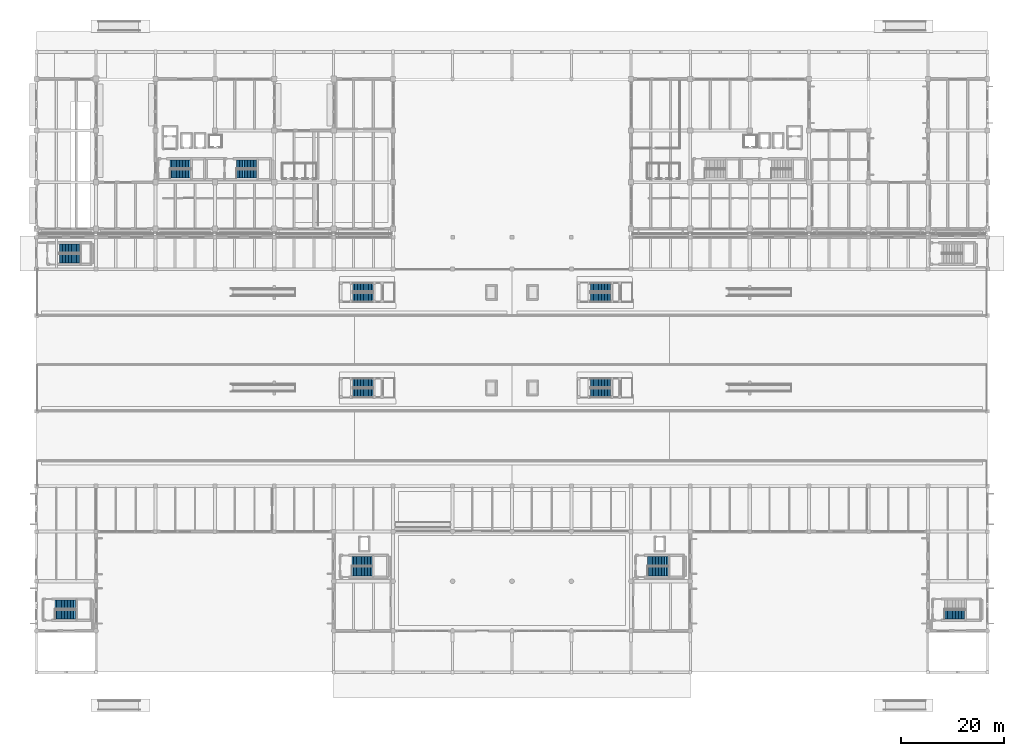
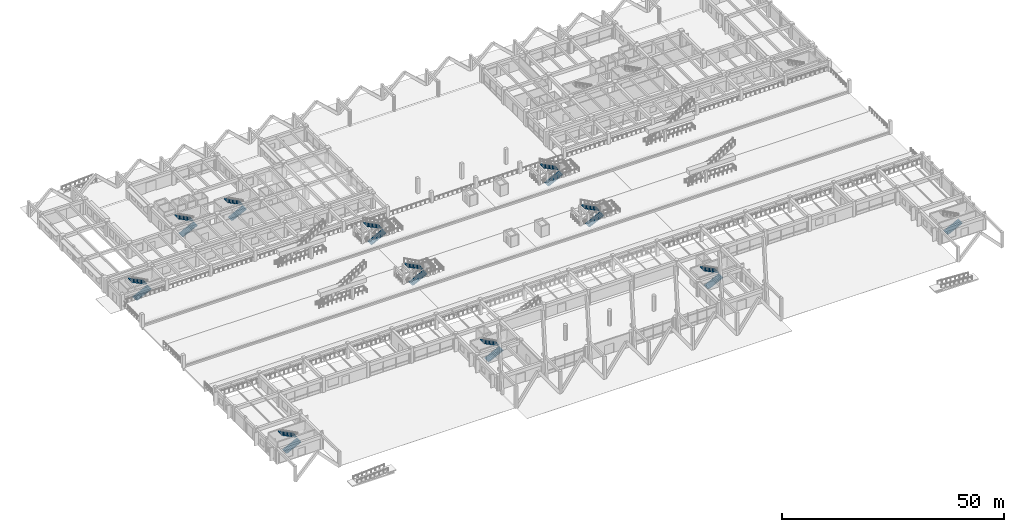
# One storey, part 93 of 109: 21 stair flights, 11 elements without a shape of their own.
"""IFC4 building model written with IfcOpenShell, lengths in metres."""

from ifc_helpers import new_model, si_unit, direction, frame, origin, place, context, subcontext, project, spatial, polyline, outline, extrude, material, type_object, element, aggregate, save


model = new_model("IFC4")

# Units and contexts
model_context = context("Model", 3, precision=1e-05, world=origin(), true_north=direction((0.0, 1.0)))
body_context = subcontext(model_context, "Body", "Model", "MODEL_VIEW")
ifc_project = project(units=[si_unit("LENGTHUNIT", "METRE"), si_unit("AREAUNIT", "SQUARE_METRE"), si_unit("VOLUMEUNIT", "CUBIC_METRE"), si_unit("PLANEANGLEUNIT", "RADIAN"), si_unit("MASSUNIT", "GRAM", prefix="KILO")], contexts=[model_context])

# Site, building, storey
site_placement = place(None, origin())
site = spatial("IfcSite", under=ifc_project, at=site_placement, CompositionType="ELEMENT")
building_placement = place(site_placement, origin())
building = spatial("IfcBuilding", under=site, at=building_placement, Name="Ologun Quay Terminus", CompositionType="ELEMENT")
storey_placement = place(building_placement, origin())
storey = spatial("IfcBuildingStorey", under=building, at=storey_placement, Name="L00", CompositionType="ELEMENT", Elevation=0.0)

# Stair, stair flights
ifc_material_1 = material(Name="Concrete C40/50", Category="concrete")
stair_type_1 = type_object("IfcStairType", Name="Courtyard Wing Core Escape Stair 1700", PredefinedType="HALF_TURN_STAIR", material=ifc_material_1)
stair_1_placement = place(storey_placement, origin())
stair_1 = element("IfcStair", 1, at=stair_1_placement, inside=storey, type_object=stair_type_1, Name="ST-W1 Stair L00", PredefinedType="HALF_TURN_STAIR")
ifc_material_2 = material(Name="Concrete C40/50", Category="concrete")
stair_flight_type_1 = type_object("IfcStairFlightType", Name="Courtyard Wing Precast Concrete Stair Flight 1700", PredefinedType="STRAIGHT", material=ifc_material_2)
stair_flight_1_placement = place(storey_placement, frame((25.85009765625, 96.449951171875, 0.0), z_axis=(0.0, 0.0, 1.0), x_axis=(1.0, 0.0, 0.0)))
stair_flight_1 = element("IfcStairFlight", 2, at=stair_flight_1_placement, type_object=stair_flight_type_1, Name="ST-W1 Lower Flight L00", NumberOfRisers=14, NumberOfTreads=13, PredefinedType="STRAIGHT", RiserHeight=0.15, TreadLength=0.3, context=body_context, shape_type="SweptSolid", body=[
    extrude(outline(polyline([(0.0, 0.0), (0.0, 0.14990234375), (0.300048828125, 0.14990234375), (0.300048828125, 0.300048828125), (0.60009765625, 0.300048828125), (0.60009765625, 0.449951171875), (0.89990234375, 0.449951171875), (0.89990234375, 0.60009765625), (1.199951171875, 0.60009765625), (1.199951171875, 0.75), (1.5, 0.75), (1.5, 0.89990234375), (1.800048828125, 0.89990234375), (1.800048828125, 1.050048828125), (2.10009765625, 1.050048828125), (2.10009765625, 1.199951171875), (2.39990234375, 1.199951171875), (2.39990234375, 1.35009765625), (2.699951171875, 1.35009765625), (2.699951171875, 1.5), (3.0, 1.5), (3.0, 1.64990234375), (3.300048828125, 1.64990234375), (3.300048828125, 1.800048828125), (3.60009765625, 1.800048828125), (3.60009765625, 1.949951171875), (3.89990234375, 1.949951171875), (3.89990234375, 2.10009765625), (3.89990234375, 1.748779296875), (0.40234375, 0.0), (0.0, 0.0)])), frame((0.0, 0.85009765625, 0.0), z_axis=(0.0, -1.0, 0.0), x_axis=(1.0, 0.0, 0.0)), (0.0, 0.0, 1.0), 1.699951171875),
])
stair_flight_2_placement = place(storey_placement, frame((29.75, 98.25, 2.10009765625), z_axis=(0.0, 0.0, 1.0), x_axis=(-1.0, 0.0, 0.0)))
stair_flight_2 = element("IfcStairFlight", 3, at=stair_flight_2_placement, type_object=stair_flight_type_1, Name="ST-W1 Upper Flight L00", NumberOfRisers=14, NumberOfTreads=13, PredefinedType="STRAIGHT", RiserHeight=0.15, TreadLength=0.3, context=body_context, shape_type="SweptSolid", body=[
    extrude(outline(polyline([(0.0, 0.0), (0.0, 0.14990234375), (0.300048828125, 0.14990234375), (0.300048828125, 0.300048828125), (0.60009765625, 0.300048828125), (0.60009765625, 0.449951171875), (0.89990234375, 0.449951171875), (0.89990234375, 0.60009765625), (1.199951171875, 0.60009765625), (1.199951171875, 0.75), (1.5, 0.75), (1.5, 0.89990234375), (1.800048828125, 0.89990234375), (1.800048828125, 1.050048828125), (2.10009765625, 1.050048828125), (2.10009765625, 1.199951171875), (2.39990234375, 1.199951171875), (2.39990234375, 1.35009765625), (2.699951171875, 1.35009765625), (2.699951171875, 1.5), (3.0, 1.5), (3.0, 1.64990234375), (3.300048828125, 1.64990234375), (3.300048828125, 1.800048828125), (3.60009765625, 1.800048828125), (3.60009765625, 1.949951171875), (3.89990234375, 1.949951171875), (3.89990234375, 2.10009765625), (3.89990234375, 1.748779296875), (0.40234375, 0.0), (0.0, 0.0)])), frame((0.0, 0.85009765625, 0.0), z_axis=(0.0, -1.0, 0.0), x_axis=(1.0, 0.0, 0.0)), (0.0, 0.0, 1.0), 1.699951171875),
])
aggregate(stair_1, [stair_flight_1, stair_flight_2])

stair_2_placement = place(storey_placement, origin())
stair_2 = element("IfcStair", 4, at=stair_2_placement, inside=storey, type_object=stair_type_1, Name="ST-W2 Stair L00", PredefinedType="HALF_TURN_STAIR")
stair_flight_3_placement = place(storey_placement, frame((38.699951171875, 96.449951171875, 0.0), z_axis=(0.0, 0.0, 1.0), x_axis=(1.0, 0.0, 0.0)))
stair_flight_3 = element("IfcStairFlight", 5, at=stair_flight_3_placement, type_object=stair_flight_type_1, Name="ST-W2 Lower Flight L00", NumberOfRisers=14, NumberOfTreads=13, PredefinedType="STRAIGHT", RiserHeight=0.15, TreadLength=0.3, context=body_context, shape_type="SweptSolid", body=[
    extrude(outline(polyline([(0.0, 0.0), (0.0, 0.14990234375), (0.300048828125, 0.14990234375), (0.300048828125, 0.300048828125), (0.60009765625, 0.300048828125), (0.60009765625, 0.449951171875), (0.89990234375, 0.449951171875), (0.89990234375, 0.60009765625), (1.199951171875, 0.60009765625), (1.199951171875, 0.75), (1.5, 0.75), (1.5, 0.89990234375), (1.800048828125, 0.89990234375), (1.800048828125, 1.050048828125), (2.10009765625, 1.050048828125), (2.10009765625, 1.199951171875), (2.39990234375, 1.199951171875), (2.39990234375, 1.35009765625), (2.699951171875, 1.35009765625), (2.699951171875, 1.5), (3.0, 1.5), (3.0, 1.64990234375), (3.300048828125, 1.64990234375), (3.300048828125, 1.800048828125), (3.60009765625, 1.800048828125), (3.60009765625, 1.949951171875), (3.89990234375, 1.949951171875), (3.89990234375, 2.10009765625), (3.89990234375, 1.748779296875), (0.40234375, 0.0), (0.0, 0.0)])), frame((0.0, 0.85009765625, 0.0), z_axis=(0.0, -1.0, 0.0), x_axis=(1.0, 0.0, 0.0)), (0.0, 0.0, 1.0), 1.699951171875),
])
stair_flight_4_placement = place(storey_placement, frame((42.60009765625, 98.25, 2.10009765625), z_axis=(0.0, 0.0, 1.0), x_axis=(-1.0, 0.0, 0.0)))
stair_flight_4 = element("IfcStairFlight", 6, at=stair_flight_4_placement, type_object=stair_flight_type_1, Name="ST-W2 Upper Flight L00", NumberOfRisers=14, NumberOfTreads=13, PredefinedType="STRAIGHT", RiserHeight=0.15, TreadLength=0.3, context=body_context, shape_type="SweptSolid", body=[
    extrude(outline(polyline([(0.0, 0.0), (0.0, 0.14990234375), (0.300048828125, 0.14990234375), (0.300048828125, 0.300048828125), (0.60009765625, 0.300048828125), (0.60009765625, 0.449951171875), (0.89990234375, 0.449951171875), (0.89990234375, 0.60009765625), (1.199951171875, 0.60009765625), (1.199951171875, 0.75), (1.5, 0.75), (1.5, 0.89990234375), (1.800048828125, 0.89990234375), (1.800048828125, 1.050048828125), (2.10009765625, 1.050048828125), (2.10009765625, 1.199951171875), (2.39990234375, 1.199951171875), (2.39990234375, 1.35009765625), (2.699951171875, 1.35009765625), (2.699951171875, 1.5), (3.0, 1.5), (3.0, 1.64990234375), (3.300048828125, 1.64990234375), (3.300048828125, 1.800048828125), (3.60009765625, 1.800048828125), (3.60009765625, 1.949951171875), (3.89990234375, 1.949951171875), (3.89990234375, 2.10009765625), (3.89990234375, 1.748779296875), (0.40234375, 0.0), (0.0, 0.0)])), frame((0.0, 0.85009765625, 0.0), z_axis=(0.0, -1.0, 0.0), x_axis=(1.0, 0.0, 0.0)), (0.0, 0.0, 1.0), 1.699951171875),
])
aggregate(stair_2, [stair_flight_3, stair_flight_4])

ifc_material_3 = material(Name="Concrete C40/50", Category="concrete")
stair_type_2 = type_object("IfcStairType", Name="Platform Concourse Transfer Stair 1700", PredefinedType="HALF_TURN_STAIR", material=ifc_material_3)
stair_3_placement = place(storey_placement, origin())
stair_3 = element("IfcStair", 7, at=stair_3_placement, inside=storey, type_object=stair_type_2, Name="ST-P1 Stair L00", PredefinedType="HALF_TURN_STAIR")
ifc_material_4 = material(Name="Concrete C40/50", Category="concrete")
stair_flight_type_2 = type_object("IfcStairFlightType", Name="Platform Transfer Stair Flight 1700", PredefinedType="STRAIGHT", material=ifc_material_4)
stair_flight_5_placement = place(storey_placement, frame((61.199951171875, 54.050048828125, 0.0), z_axis=(0.0, 0.0, 1.0), x_axis=(1.0, 0.0, 0.0)))
stair_flight_5 = element("IfcStairFlight", 8, at=stair_flight_5_placement, type_object=stair_flight_type_2, Name="ST-P1 Lower Flight L00", NumberOfRisers=14, NumberOfTreads=13, PredefinedType="STRAIGHT", RiserHeight=0.15, TreadLength=0.3, context=body_context, shape_type="SweptSolid", body=[
    extrude(outline(polyline([(0.0, 0.0), (0.0, 0.14990234375), (0.300048828125, 0.14990234375), (0.300048828125, 0.300048828125), (0.60009765625, 0.300048828125), (0.60009765625, 0.449951171875), (0.89990234375, 0.449951171875), (0.89990234375, 0.60009765625), (1.199951171875, 0.60009765625), (1.199951171875, 0.75), (1.5, 0.75), (1.5, 0.89990234375), (1.800048828125, 0.89990234375), (1.800048828125, 1.050048828125), (2.10009765625, 1.050048828125), (2.10009765625, 1.199951171875), (2.39990234375, 1.199951171875), (2.39990234375, 1.35009765625), (2.699951171875, 1.35009765625), (2.699951171875, 1.5), (3.0, 1.5), (3.0, 1.64990234375), (3.300048828125, 1.64990234375), (3.300048828125, 1.800048828125), (3.60009765625, 1.800048828125), (3.60009765625, 1.949951171875), (3.89990234375, 1.949951171875), (3.89990234375, 2.10009765625), (3.89990234375, 1.737548828125), (0.4248046875, 0.0), (0.0, 0.0)])), frame((0.0, 0.85009765625, 0.0), z_axis=(0.0, -1.0, 0.0), x_axis=(1.0, 0.0, 0.0)), (0.0, 0.0, 1.0), 1.699951171875),
])
stair_flight_6_placement = place(storey_placement, frame((65.10009765625, 55.949951171875, 2.10009765625), z_axis=(0.0, 0.0, 1.0), x_axis=(-1.0, 0.0, 0.0)))
stair_flight_6 = element("IfcStairFlight", 9, at=stair_flight_6_placement, type_object=stair_flight_type_2, Name="ST-P1 Upper Flight L00", NumberOfRisers=14, NumberOfTreads=13, PredefinedType="STRAIGHT", RiserHeight=0.15, TreadLength=0.3, context=body_context, shape_type="SweptSolid", body=[
    extrude(outline(polyline([(0.0, 0.0), (0.0, 0.14990234375), (0.300048828125, 0.14990234375), (0.300048828125, 0.300048828125), (0.60009765625, 0.300048828125), (0.60009765625, 0.449951171875), (0.89990234375, 0.449951171875), (0.89990234375, 0.60009765625), (1.199951171875, 0.60009765625), (1.199951171875, 0.75), (1.5, 0.75), (1.5, 0.89990234375), (1.800048828125, 0.89990234375), (1.800048828125, 1.050048828125), (2.10009765625, 1.050048828125), (2.10009765625, 1.199951171875), (2.39990234375, 1.199951171875), (2.39990234375, 1.35009765625), (2.699951171875, 1.35009765625), (2.699951171875, 1.5), (3.0, 1.5), (3.0, 1.64990234375), (3.300048828125, 1.64990234375), (3.300048828125, 1.800048828125), (3.60009765625, 1.800048828125), (3.60009765625, 1.949951171875), (3.89990234375, 1.949951171875), (3.89990234375, 2.10009765625), (3.89990234375, 1.737548828125), (0.4248046875, 0.0), (0.0, 0.0)])), frame((0.0, 0.85009765625, 0.0), z_axis=(0.0, -1.0, 0.0), x_axis=(1.0, 0.0, 0.0)), (0.0, 0.0, 1.0), 1.699951171875),
])
aggregate(stair_3, [stair_flight_5, stair_flight_6])

stair_4_placement = place(storey_placement, origin())
stair_4 = element("IfcStair", 10, at=stair_4_placement, inside=storey, type_object=stair_type_2, Name="ST-P2 Stair L00", PredefinedType="HALF_TURN_STAIR")
stair_flight_7_placement = place(storey_placement, frame((107.199951171875, 54.050048828125, 0.0), z_axis=(0.0, 0.0, 1.0), x_axis=(1.0, 0.0, 0.0)))
stair_flight_7 = element("IfcStairFlight", 11, at=stair_flight_7_placement, type_object=stair_flight_type_2, Name="ST-P2 Lower Flight L00", NumberOfRisers=14, NumberOfTreads=13, PredefinedType="STRAIGHT", RiserHeight=0.15, TreadLength=0.3, context=body_context, shape_type="SweptSolid", body=[
    extrude(outline(polyline([(0.0, 0.0), (0.0, 0.14990234375), (0.300048828125, 0.14990234375), (0.300048828125, 0.300048828125), (0.60009765625, 0.300048828125), (0.60009765625, 0.449951171875), (0.89990234375, 0.449951171875), (0.89990234375, 0.60009765625), (1.199951171875, 0.60009765625), (1.199951171875, 0.75), (1.5, 0.75), (1.5, 0.89990234375), (1.800048828125, 0.89990234375), (1.800048828125, 1.050048828125), (2.10009765625, 1.050048828125), (2.10009765625, 1.199951171875), (2.39990234375, 1.199951171875), (2.39990234375, 1.35009765625), (2.699951171875, 1.35009765625), (2.699951171875, 1.5), (3.0, 1.5), (3.0, 1.64990234375), (3.300048828125, 1.64990234375), (3.300048828125, 1.800048828125), (3.60009765625, 1.800048828125), (3.60009765625, 1.949951171875), (3.89990234375, 1.949951171875), (3.89990234375, 2.10009765625), (3.89990234375, 1.737548828125), (0.4248046875, 0.0), (0.0, 0.0)])), frame((0.0, 0.85009765625, 0.0), z_axis=(0.0, -1.0, 0.0), x_axis=(1.0, 0.0, 0.0)), (0.0, 0.0, 1.0), 1.699951171875),
])
stair_flight_8_placement = place(storey_placement, frame((111.10009765625, 55.949951171875, 2.10009765625), z_axis=(0.0, 0.0, 1.0), x_axis=(-1.0, 0.0, 0.0)))
stair_flight_8 = element("IfcStairFlight", 12, at=stair_flight_8_placement, type_object=stair_flight_type_2, Name="ST-P2 Upper Flight L00", NumberOfRisers=14, NumberOfTreads=13, PredefinedType="STRAIGHT", RiserHeight=0.15, TreadLength=0.3, context=body_context, shape_type="SweptSolid", body=[
    extrude(outline(polyline([(0.0, 0.0), (0.0, 0.14990234375), (0.300048828125, 0.14990234375), (0.300048828125, 0.300048828125), (0.60009765625, 0.300048828125), (0.60009765625, 0.449951171875), (0.89990234375, 0.449951171875), (0.89990234375, 0.60009765625), (1.199951171875, 0.60009765625), (1.199951171875, 0.75), (1.5, 0.75), (1.5, 0.89990234375), (1.800048828125, 0.89990234375), (1.800048828125, 1.050048828125), (2.10009765625, 1.050048828125), (2.10009765625, 1.199951171875), (2.39990234375, 1.199951171875), (2.39990234375, 1.35009765625), (2.699951171875, 1.35009765625), (2.699951171875, 1.5), (3.0, 1.5), (3.0, 1.64990234375), (3.300048828125, 1.64990234375), (3.300048828125, 1.800048828125), (3.60009765625, 1.800048828125), (3.60009765625, 1.949951171875), (3.89990234375, 1.949951171875), (3.89990234375, 2.10009765625), (3.89990234375, 1.737548828125), (0.4248046875, 0.0), (0.0, 0.0)])), frame((0.0, 0.85009765625, 0.0), z_axis=(0.0, -1.0, 0.0), x_axis=(1.0, 0.0, 0.0)), (0.0, 0.0, 1.0), 1.699951171875),
])
aggregate(stair_4, [stair_flight_7, stair_flight_8])

stair_5_placement = place(storey_placement, origin())
stair_5 = element("IfcStair", 13, at=stair_5_placement, inside=storey, type_object=stair_type_2, Name="ST-P3 Stair L00", PredefinedType="HALF_TURN_STAIR")
stair_flight_9_placement = place(storey_placement, frame((61.199951171875, 72.550048828125, 0.0), z_axis=(0.0, 0.0, 1.0), x_axis=(1.0, 0.0, 0.0)))
stair_flight_9 = element("IfcStairFlight", 14, at=stair_flight_9_placement, type_object=stair_flight_type_2, Name="ST-P3 Lower Flight L00", NumberOfRisers=14, NumberOfTreads=13, PredefinedType="STRAIGHT", RiserHeight=0.15, TreadLength=0.3, context=body_context, shape_type="SweptSolid", body=[
    extrude(outline(polyline([(0.0, 0.0), (0.0, 0.14990234375), (0.300048828125, 0.14990234375), (0.300048828125, 0.300048828125), (0.60009765625, 0.300048828125), (0.60009765625, 0.449951171875), (0.89990234375, 0.449951171875), (0.89990234375, 0.60009765625), (1.199951171875, 0.60009765625), (1.199951171875, 0.75), (1.5, 0.75), (1.5, 0.89990234375), (1.800048828125, 0.89990234375), (1.800048828125, 1.050048828125), (2.10009765625, 1.050048828125), (2.10009765625, 1.199951171875), (2.39990234375, 1.199951171875), (2.39990234375, 1.35009765625), (2.699951171875, 1.35009765625), (2.699951171875, 1.5), (3.0, 1.5), (3.0, 1.64990234375), (3.300048828125, 1.64990234375), (3.300048828125, 1.800048828125), (3.60009765625, 1.800048828125), (3.60009765625, 1.949951171875), (3.89990234375, 1.949951171875), (3.89990234375, 2.10009765625), (3.89990234375, 1.737548828125), (0.4248046875, 0.0), (0.0, 0.0)])), frame((0.0, 0.85009765625, 0.0), z_axis=(0.0, -1.0, 0.0), x_axis=(1.0, 0.0, 0.0)), (0.0, 0.0, 1.0), 1.699951171875),
])
stair_flight_10_placement = place(storey_placement, frame((65.10009765625, 74.449951171875, 2.10009765625), z_axis=(0.0, 0.0, 1.0), x_axis=(-1.0, 0.0, 0.0)))
stair_flight_10 = element("IfcStairFlight", 15, at=stair_flight_10_placement, type_object=stair_flight_type_2, Name="ST-P3 Upper Flight L00", NumberOfRisers=14, NumberOfTreads=13, PredefinedType="STRAIGHT", RiserHeight=0.15, TreadLength=0.3, context=body_context, shape_type="SweptSolid", body=[
    extrude(outline(polyline([(0.0, 0.0), (0.0, 0.14990234375), (0.300048828125, 0.14990234375), (0.300048828125, 0.300048828125), (0.60009765625, 0.300048828125), (0.60009765625, 0.449951171875), (0.89990234375, 0.449951171875), (0.89990234375, 0.60009765625), (1.199951171875, 0.60009765625), (1.199951171875, 0.75), (1.5, 0.75), (1.5, 0.89990234375), (1.800048828125, 0.89990234375), (1.800048828125, 1.050048828125), (2.10009765625, 1.050048828125), (2.10009765625, 1.199951171875), (2.39990234375, 1.199951171875), (2.39990234375, 1.35009765625), (2.699951171875, 1.35009765625), (2.699951171875, 1.5), (3.0, 1.5), (3.0, 1.64990234375), (3.300048828125, 1.64990234375), (3.300048828125, 1.800048828125), (3.60009765625, 1.800048828125), (3.60009765625, 1.949951171875), (3.89990234375, 1.949951171875), (3.89990234375, 2.10009765625), (3.89990234375, 1.737548828125), (0.4248046875, 0.0), (0.0, 0.0)])), frame((0.0, 0.85009765625, 0.0), z_axis=(0.0, -1.0, 0.0), x_axis=(1.0, 0.0, 0.0)), (0.0, 0.0, 1.0), 1.699951171875),
])
aggregate(stair_5, [stair_flight_9, stair_flight_10])

stair_6_placement = place(storey_placement, origin())
stair_6 = element("IfcStair", 16, at=stair_6_placement, inside=storey, type_object=stair_type_2, Name="ST-P4 Stair L00", PredefinedType="HALF_TURN_STAIR")
stair_flight_11_placement = place(storey_placement, frame((107.199951171875, 72.550048828125, 0.0), z_axis=(0.0, 0.0, 1.0), x_axis=(1.0, 0.0, 0.0)))
stair_flight_11 = element("IfcStairFlight", 17, at=stair_flight_11_placement, type_object=stair_flight_type_2, Name="ST-P4 Lower Flight L00", NumberOfRisers=14, NumberOfTreads=13, PredefinedType="STRAIGHT", RiserHeight=0.15, TreadLength=0.3, context=body_context, shape_type="SweptSolid", body=[
    extrude(outline(polyline([(0.0, 0.0), (0.0, 0.14990234375), (0.300048828125, 0.14990234375), (0.300048828125, 0.300048828125), (0.60009765625, 0.300048828125), (0.60009765625, 0.449951171875), (0.89990234375, 0.449951171875), (0.89990234375, 0.60009765625), (1.199951171875, 0.60009765625), (1.199951171875, 0.75), (1.5, 0.75), (1.5, 0.89990234375), (1.800048828125, 0.89990234375), (1.800048828125, 1.050048828125), (2.10009765625, 1.050048828125), (2.10009765625, 1.199951171875), (2.39990234375, 1.199951171875), (2.39990234375, 1.35009765625), (2.699951171875, 1.35009765625), (2.699951171875, 1.5), (3.0, 1.5), (3.0, 1.64990234375), (3.300048828125, 1.64990234375), (3.300048828125, 1.800048828125), (3.60009765625, 1.800048828125), (3.60009765625, 1.949951171875), (3.89990234375, 1.949951171875), (3.89990234375, 2.10009765625), (3.89990234375, 1.737548828125), (0.4248046875, 0.0), (0.0, 0.0)])), frame((0.0, 0.85009765625, 0.0), z_axis=(0.0, -1.0, 0.0), x_axis=(1.0, 0.0, 0.0)), (0.0, 0.0, 1.0), 1.699951171875),
])
stair_flight_12_placement = place(storey_placement, frame((111.10009765625, 74.449951171875, 2.10009765625), z_axis=(0.0, 0.0, 1.0), x_axis=(-1.0, 0.0, 0.0)))
stair_flight_12 = element("IfcStairFlight", 18, at=stair_flight_12_placement, type_object=stair_flight_type_2, Name="ST-P4 Upper Flight L00", NumberOfRisers=14, NumberOfTreads=13, PredefinedType="STRAIGHT", RiserHeight=0.15, TreadLength=0.3, context=body_context, shape_type="SweptSolid", body=[
    extrude(outline(polyline([(0.0, 0.0), (0.0, 0.14990234375), (0.300048828125, 0.14990234375), (0.300048828125, 0.300048828125), (0.60009765625, 0.300048828125), (0.60009765625, 0.449951171875), (0.89990234375, 0.449951171875), (0.89990234375, 0.60009765625), (1.199951171875, 0.60009765625), (1.199951171875, 0.75), (1.5, 0.75), (1.5, 0.89990234375), (1.800048828125, 0.89990234375), (1.800048828125, 1.050048828125), (2.10009765625, 1.050048828125), (2.10009765625, 1.199951171875), (2.39990234375, 1.199951171875), (2.39990234375, 1.35009765625), (2.699951171875, 1.35009765625), (2.699951171875, 1.5), (3.0, 1.5), (3.0, 1.64990234375), (3.300048828125, 1.64990234375), (3.300048828125, 1.800048828125), (3.60009765625, 1.800048828125), (3.60009765625, 1.949951171875), (3.89990234375, 1.949951171875), (3.89990234375, 2.10009765625), (3.89990234375, 1.737548828125), (0.4248046875, 0.0), (0.0, 0.0)])), frame((0.0, 0.85009765625, 0.0), z_axis=(0.0, -1.0, 0.0), x_axis=(1.0, 0.0, 0.0)), (0.0, 0.0, 1.0), 1.699951171875),
])
aggregate(stair_6, [stair_flight_11, stair_flight_12])

ifc_material_5 = material(Name="Concrete C40/50", Category="concrete")
stair_type_3 = type_object("IfcStairType", Name="Station Concourse Escape Stair 1800", PredefinedType="HALF_TURN_STAIR", material=ifc_material_5)
stair_7_placement = place(storey_placement, origin())
stair_7 = element("IfcStair", 19, at=stair_7_placement, inside=storey, type_object=stair_type_3, Name="ST-S1 Stair L00", PredefinedType="HALF_TURN_STAIR")
ifc_material_6 = material(Name="Concrete C40/50", Category="concrete")
stair_flight_type_3 = type_object("IfcStairFlightType", Name="Station Precast Concrete Stair Flight 1800", PredefinedType="STRAIGHT", material=ifc_material_6)
stair_flight_13_placement = place(storey_placement, frame((3.60009765625, 11.14990234375, 0.0), z_axis=(0.0, 0.0, 1.0), x_axis=(1.0, 0.0, 0.0)))
stair_flight_13 = element("IfcStairFlight", 20, at=stair_flight_13_placement, type_object=stair_flight_type_3, Name="ST-S1 Lower Flight L00", NumberOfRisers=14, NumberOfTreads=13, PredefinedType="STRAIGHT", RiserHeight=0.15, TreadLength=0.3, context=body_context, shape_type="SweptSolid", body=[
    extrude(outline(polyline([(0.0, 0.0), (0.0, 0.14990234375), (0.300048828125, 0.14990234375), (0.300048828125, 0.300048828125), (0.60009765625, 0.300048828125), (0.60009765625, 0.449951171875), (0.89990234375, 0.449951171875), (0.89990234375, 0.60009765625), (1.199951171875, 0.60009765625), (1.199951171875, 0.75), (1.5, 0.75), (1.5, 0.89990234375), (1.800048828125, 0.89990234375), (1.800048828125, 1.050048828125), (2.10009765625, 1.050048828125), (2.10009765625, 1.199951171875), (2.39990234375, 1.199951171875), (2.39990234375, 1.35009765625), (2.699951171875, 1.35009765625), (2.699951171875, 1.5), (3.0, 1.5), (3.0, 1.64990234375), (3.300048828125, 1.64990234375), (3.300048828125, 1.800048828125), (3.60009765625, 1.800048828125), (3.60009765625, 1.949951171875), (3.89990234375, 1.949951171875), (3.89990234375, 2.10009765625), (3.89990234375, 1.7265625), (0.447021484375, 0.0), (0.0, 0.0)])), frame((0.0, 0.89990234375, 0.0), z_axis=(0.0, -1.0, 0.0), x_axis=(1.0, 0.0, 0.0)), (0.0, 0.0, 1.0), 1.800048828125),
])
stair_flight_14_placement = place(storey_placement, frame((7.5, 13.050048828125, 2.10009765625), z_axis=(0.0, 0.0, 1.0), x_axis=(-1.0, 0.0, 0.0)))
stair_flight_14 = element("IfcStairFlight", 21, at=stair_flight_14_placement, type_object=stair_flight_type_3, Name="ST-S1 Upper Flight L00", NumberOfRisers=14, NumberOfTreads=13, PredefinedType="STRAIGHT", RiserHeight=0.15, TreadLength=0.3, context=body_context, shape_type="SweptSolid", body=[
    extrude(outline(polyline([(0.0, 0.0), (0.0, 0.14990234375), (0.300048828125, 0.14990234375), (0.300048828125, 0.300048828125), (0.60009765625, 0.300048828125), (0.60009765625, 0.449951171875), (0.89990234375, 0.449951171875), (0.89990234375, 0.60009765625), (1.199951171875, 0.60009765625), (1.199951171875, 0.75), (1.5, 0.75), (1.5, 0.89990234375), (1.800048828125, 0.89990234375), (1.800048828125, 1.050048828125), (2.10009765625, 1.050048828125), (2.10009765625, 1.199951171875), (2.39990234375, 1.199951171875), (2.39990234375, 1.35009765625), (2.699951171875, 1.35009765625), (2.699951171875, 1.5), (3.0, 1.5), (3.0, 1.64990234375), (3.300048828125, 1.64990234375), (3.300048828125, 1.800048828125), (3.60009765625, 1.800048828125), (3.60009765625, 1.949951171875), (3.89990234375, 1.949951171875), (3.89990234375, 2.10009765625), (3.89990234375, 1.7265625), (0.447021484375, 0.0), (0.0, 0.0)])), frame((0.0, 0.89990234375, 0.0), z_axis=(0.0, -1.0, 0.0), x_axis=(1.0, 0.0, 0.0)), (0.0, 0.0, 1.0), 1.800048828125),
])
aggregate(stair_7, [stair_flight_13, stair_flight_14])

# Stair, stair flight
stair_8_placement = place(storey_placement, origin())
stair_8 = element("IfcStair", 22, at=stair_8_placement, inside=storey, type_object=stair_type_3, Name="ST-S2 Stair L00", PredefinedType="HALF_TURN_STAIR")
stair_flight_15_placement = place(storey_placement, frame((175.699951171875, 11.14990234375, 0.0), z_axis=(0.0, 0.0, 1.0), x_axis=(1.0, 0.0, 0.0)))
stair_flight_15 = element("IfcStairFlight", 23, at=stair_flight_15_placement, type_object=stair_flight_type_3, Name="ST-S2 Lower Flight L00", NumberOfRisers=14, NumberOfTreads=13, PredefinedType="STRAIGHT", RiserHeight=0.15, TreadLength=0.3, context=body_context, shape_type="SweptSolid", body=[
    extrude(outline(polyline([(0.0, 0.0), (0.0, 0.14990234375), (0.300048828125, 0.14990234375), (0.300048828125, 0.300048828125), (0.60009765625, 0.300048828125), (0.60009765625, 0.449951171875), (0.89990234375, 0.449951171875), (0.89990234375, 0.60009765625), (1.199951171875, 0.60009765625), (1.199951171875, 0.75), (1.5, 0.75), (1.5, 0.89990234375), (1.800048828125, 0.89990234375), (1.800048828125, 1.050048828125), (2.10009765625, 1.050048828125), (2.10009765625, 1.199951171875), (2.39990234375, 1.199951171875), (2.39990234375, 1.35009765625), (2.699951171875, 1.35009765625), (2.699951171875, 1.5), (3.0, 1.5), (3.0, 1.64990234375), (3.300048828125, 1.64990234375), (3.300048828125, 1.800048828125), (3.60009765625, 1.800048828125), (3.60009765625, 1.949951171875), (3.89990234375, 1.949951171875), (3.89990234375, 2.10009765625), (3.89990234375, 1.7265625), (0.447021484375, 0.0), (0.0, 0.0)])), frame((0.0, 0.89990234375, 0.0), z_axis=(0.0, -1.0, 0.0), x_axis=(1.0, 0.0, 0.0)), (0.0, 0.0, 1.0), 1.800048828125),
])
aggregate(stair_8, [stair_flight_15])

# Stair, stair flights
stair_9_placement = place(storey_placement, origin())
stair_9 = element("IfcStair", 24, at=stair_9_placement, inside=storey, type_object=stair_type_3, Name="ST-S3 Stair L00", PredefinedType="HALF_TURN_STAIR")
stair_flight_16_placement = place(storey_placement, frame((61.050048828125, 19.550048828125, 0.0), z_axis=(0.0, 0.0, 1.0), x_axis=(1.0, 0.0, 0.0)))
stair_flight_16 = element("IfcStairFlight", 25, at=stair_flight_16_placement, type_object=stair_flight_type_3, Name="ST-S3 Lower Flight L00", NumberOfRisers=14, NumberOfTreads=13, PredefinedType="STRAIGHT", RiserHeight=0.15, TreadLength=0.3, context=body_context, shape_type="SweptSolid", body=[
    extrude(outline(polyline([(0.0, 0.0), (0.0, 0.14990234375), (0.300048828125, 0.14990234375), (0.300048828125, 0.300048828125), (0.60009765625, 0.300048828125), (0.60009765625, 0.449951171875), (0.89990234375, 0.449951171875), (0.89990234375, 0.60009765625), (1.199951171875, 0.60009765625), (1.199951171875, 0.75), (1.5, 0.75), (1.5, 0.89990234375), (1.800048828125, 0.89990234375), (1.800048828125, 1.050048828125), (2.10009765625, 1.050048828125), (2.10009765625, 1.199951171875), (2.39990234375, 1.199951171875), (2.39990234375, 1.35009765625), (2.699951171875, 1.35009765625), (2.699951171875, 1.5), (3.0, 1.5), (3.0, 1.64990234375), (3.300048828125, 1.64990234375), (3.300048828125, 1.800048828125), (3.60009765625, 1.800048828125), (3.60009765625, 1.949951171875), (3.89990234375, 1.949951171875), (3.89990234375, 2.10009765625), (3.89990234375, 1.7265625), (0.447021484375, 0.0), (0.0, 0.0)])), frame((0.0, 0.89990234375, 0.0), z_axis=(0.0, -1.0, 0.0), x_axis=(1.0, 0.0, 0.0)), (0.0, 0.0, 1.0), 1.800048828125),
])
stair_flight_17_placement = place(storey_placement, frame((64.949951171875, 21.449951171875, 2.10009765625), z_axis=(0.0, 0.0, 1.0), x_axis=(-1.0, 0.0, 0.0)))
stair_flight_17 = element("IfcStairFlight", 26, at=stair_flight_17_placement, type_object=stair_flight_type_3, Name="ST-S3 Upper Flight L00", NumberOfRisers=14, NumberOfTreads=13, PredefinedType="STRAIGHT", RiserHeight=0.15, TreadLength=0.3, context=body_context, shape_type="SweptSolid", body=[
    extrude(outline(polyline([(0.0, 0.0), (0.0, 0.14990234375), (0.300048828125, 0.14990234375), (0.300048828125, 0.300048828125), (0.60009765625, 0.300048828125), (0.60009765625, 0.449951171875), (0.89990234375, 0.449951171875), (0.89990234375, 0.60009765625), (1.199951171875, 0.60009765625), (1.199951171875, 0.75), (1.5, 0.75), (1.5, 0.89990234375), (1.800048828125, 0.89990234375), (1.800048828125, 1.050048828125), (2.10009765625, 1.050048828125), (2.10009765625, 1.199951171875), (2.39990234375, 1.199951171875), (2.39990234375, 1.35009765625), (2.699951171875, 1.35009765625), (2.699951171875, 1.5), (3.0, 1.5), (3.0, 1.64990234375), (3.300048828125, 1.64990234375), (3.300048828125, 1.800048828125), (3.60009765625, 1.800048828125), (3.60009765625, 1.949951171875), (3.89990234375, 1.949951171875), (3.89990234375, 2.10009765625), (3.89990234375, 1.7265625), (0.447021484375, 0.0), (0.0, 0.0)])), frame((0.0, 0.89990234375, 0.0), z_axis=(0.0, -1.0, 0.0), x_axis=(1.0, 0.0, 0.0)), (0.0, 0.0, 1.0), 1.800048828125),
])
aggregate(stair_9, [stair_flight_16, stair_flight_17])

stair_10_placement = place(storey_placement, origin())
stair_10 = element("IfcStair", 27, at=stair_10_placement, inside=storey, type_object=stair_type_3, Name="ST-S4 Stair L00", PredefinedType="HALF_TURN_STAIR")
stair_flight_18_placement = place(storey_placement, frame((118.25, 19.550048828125, 0.0), z_axis=(0.0, 0.0, 1.0), x_axis=(1.0, 0.0, 0.0)))
stair_flight_18 = element("IfcStairFlight", 28, at=stair_flight_18_placement, type_object=stair_flight_type_3, Name="ST-S4 Lower Flight L00", NumberOfRisers=14, NumberOfTreads=13, PredefinedType="STRAIGHT", RiserHeight=0.15, TreadLength=0.3, context=body_context, shape_type="SweptSolid", body=[
    extrude(outline(polyline([(0.0, 0.0), (0.0, 0.14990234375), (0.300048828125, 0.14990234375), (0.300048828125, 0.300048828125), (0.60009765625, 0.300048828125), (0.60009765625, 0.449951171875), (0.89990234375, 0.449951171875), (0.89990234375, 0.60009765625), (1.199951171875, 0.60009765625), (1.199951171875, 0.75), (1.5, 0.75), (1.5, 0.89990234375), (1.800048828125, 0.89990234375), (1.800048828125, 1.050048828125), (2.10009765625, 1.050048828125), (2.10009765625, 1.199951171875), (2.39990234375, 1.199951171875), (2.39990234375, 1.35009765625), (2.699951171875, 1.35009765625), (2.699951171875, 1.5), (3.0, 1.5), (3.0, 1.64990234375), (3.300048828125, 1.64990234375), (3.300048828125, 1.800048828125), (3.60009765625, 1.800048828125), (3.60009765625, 1.949951171875), (3.89990234375, 1.949951171875), (3.89990234375, 2.10009765625), (3.89990234375, 1.7265625), (0.447021484375, 0.0), (0.0, 0.0)])), frame((0.0, 0.89990234375, 0.0), z_axis=(0.0, -1.0, 0.0), x_axis=(1.0, 0.0, 0.0)), (0.0, 0.0, 1.0), 1.800048828125),
])
stair_flight_19_placement = place(storey_placement, frame((122.14990234375, 21.449951171875, 2.10009765625), z_axis=(0.0, 0.0, 1.0), x_axis=(-1.0, 0.0, 0.0)))
stair_flight_19 = element("IfcStairFlight", 29, at=stair_flight_19_placement, type_object=stair_flight_type_3, Name="ST-S4 Upper Flight L00", NumberOfRisers=14, NumberOfTreads=13, PredefinedType="STRAIGHT", RiserHeight=0.15, TreadLength=0.3, context=body_context, shape_type="SweptSolid", body=[
    extrude(outline(polyline([(0.0, 0.0), (0.0, 0.14990234375), (0.300048828125, 0.14990234375), (0.300048828125, 0.300048828125), (0.60009765625, 0.300048828125), (0.60009765625, 0.449951171875), (0.89990234375, 0.449951171875), (0.89990234375, 0.60009765625), (1.199951171875, 0.60009765625), (1.199951171875, 0.75), (1.5, 0.75), (1.5, 0.89990234375), (1.800048828125, 0.89990234375), (1.800048828125, 1.050048828125), (2.10009765625, 1.050048828125), (2.10009765625, 1.199951171875), (2.39990234375, 1.199951171875), (2.39990234375, 1.35009765625), (2.699951171875, 1.35009765625), (2.699951171875, 1.5), (3.0, 1.5), (3.0, 1.64990234375), (3.300048828125, 1.64990234375), (3.300048828125, 1.800048828125), (3.60009765625, 1.800048828125), (3.60009765625, 1.949951171875), (3.89990234375, 1.949951171875), (3.89990234375, 2.10009765625), (3.89990234375, 1.7265625), (0.447021484375, 0.0), (0.0, 0.0)])), frame((0.0, 0.89990234375, 0.0), z_axis=(0.0, -1.0, 0.0), x_axis=(1.0, 0.0, 0.0)), (0.0, 0.0, 1.0), 1.800048828125),
])
aggregate(stair_10, [stair_flight_18, stair_flight_19])

stair_11_placement = place(storey_placement, origin())
stair_11 = element("IfcStair", 30, at=stair_11_placement, inside=storey, type_object=stair_type_3, Name="ST-NG1 Stair L00", PredefinedType="HALF_TURN_STAIR")
stair_flight_20_placement = place(storey_placement, frame((4.39990234375, 80.050048828125, 0.0), z_axis=(0.0, 0.0, 1.0), x_axis=(1.0, 0.0, 0.0)))
stair_flight_20 = element("IfcStairFlight", 31, at=stair_flight_20_placement, type_object=stair_flight_type_3, Name="ST-NG1 Lower Flight L00", NumberOfRisers=14, NumberOfTreads=13, PredefinedType="STRAIGHT", RiserHeight=0.15, TreadLength=0.3, context=body_context, shape_type="SweptSolid", body=[
    extrude(outline(polyline([(0.0, 0.0), (0.0, 0.14990234375), (0.300048828125, 0.14990234375), (0.300048828125, 0.300048828125), (0.60009765625, 0.300048828125), (0.60009765625, 0.449951171875), (0.89990234375, 0.449951171875), (0.89990234375, 0.60009765625), (1.199951171875, 0.60009765625), (1.199951171875, 0.75), (1.5, 0.75), (1.5, 0.89990234375), (1.800048828125, 0.89990234375), (1.800048828125, 1.050048828125), (2.10009765625, 1.050048828125), (2.10009765625, 1.199951171875), (2.39990234375, 1.199951171875), (2.39990234375, 1.35009765625), (2.699951171875, 1.35009765625), (2.699951171875, 1.5), (3.0, 1.5), (3.0, 1.64990234375), (3.300048828125, 1.64990234375), (3.300048828125, 1.800048828125), (3.60009765625, 1.800048828125), (3.60009765625, 1.949951171875), (3.89990234375, 1.949951171875), (3.89990234375, 2.10009765625), (3.89990234375, 1.7265625), (0.447021484375, 0.0), (0.0, 0.0)])), frame((0.0, 0.89990234375, 0.0), z_axis=(0.0, -1.0, 0.0), x_axis=(1.0, 0.0, 0.0)), (0.0, 0.0, 1.0), 1.800048828125),
])
stair_flight_21_placement = place(storey_placement, frame((8.300048828125, 81.949951171875, 2.10009765625), z_axis=(0.0, 0.0, 1.0), x_axis=(-1.0, 0.0, 0.0)))
stair_flight_21 = element("IfcStairFlight", 32, at=stair_flight_21_placement, type_object=stair_flight_type_3, Name="ST-NG1 Upper Flight L00", NumberOfRisers=14, NumberOfTreads=13, PredefinedType="STRAIGHT", RiserHeight=0.15, TreadLength=0.3, context=body_context, shape_type="SweptSolid", body=[
    extrude(outline(polyline([(0.0, 0.0), (0.0, 0.14990234375), (0.300048828125, 0.14990234375), (0.300048828125, 0.300048828125), (0.60009765625, 0.300048828125), (0.60009765625, 0.449951171875), (0.89990234375, 0.449951171875), (0.89990234375, 0.60009765625), (1.199951171875, 0.60009765625), (1.199951171875, 0.75), (1.5, 0.75), (1.5, 0.89990234375), (1.800048828125, 0.89990234375), (1.800048828125, 1.050048828125), (2.10009765625, 1.050048828125), (2.10009765625, 1.199951171875), (2.39990234375, 1.199951171875), (2.39990234375, 1.35009765625), (2.699951171875, 1.35009765625), (2.699951171875, 1.5), (3.0, 1.5), (3.0, 1.64990234375), (3.300048828125, 1.64990234375), (3.300048828125, 1.800048828125), (3.60009765625, 1.800048828125), (3.60009765625, 1.949951171875), (3.89990234375, 1.949951171875), (3.89990234375, 2.10009765625), (3.89990234375, 1.7265625), (0.447021484375, 0.0), (0.0, 0.0)])), frame((0.0, 0.89990234375, 0.0), z_axis=(0.0, -1.0, 0.0), x_axis=(1.0, 0.0, 0.0)), (0.0, 0.0, 1.0), 1.800048828125),
])
aggregate(stair_11, [stair_flight_20, stair_flight_21])

save(model, "model.ifc")
